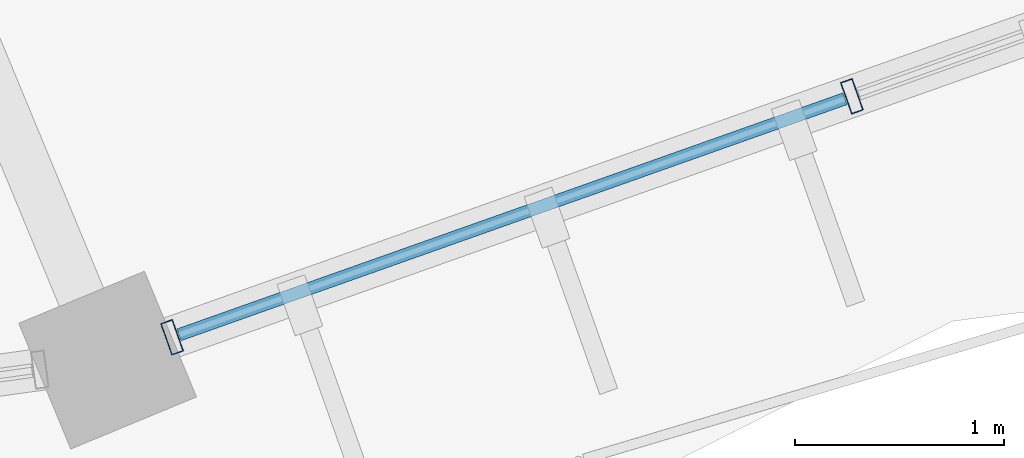
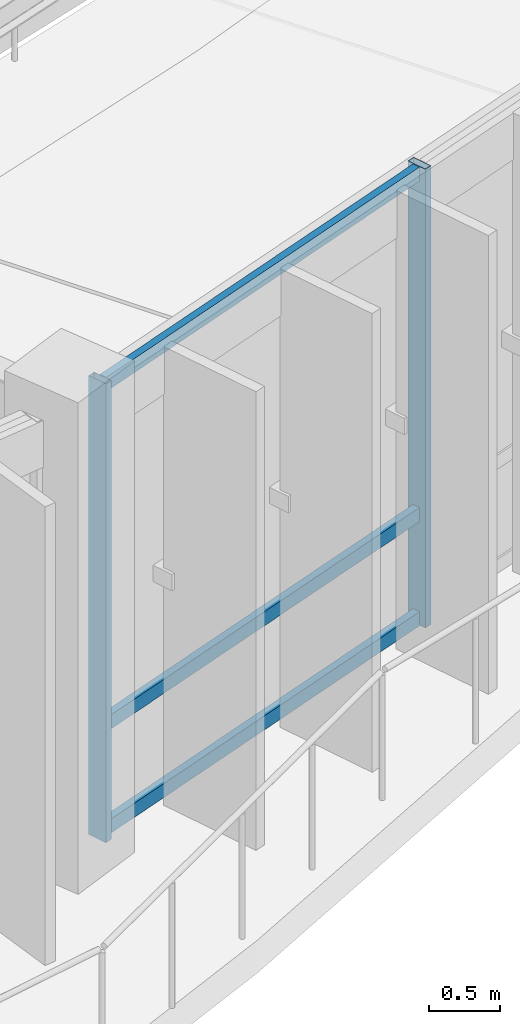
# One storey, part 27 of 114: 5 members, 1 element without a shape of its own.
"""IFC4 building model written with IfcOpenShell, lengths in metres."""

import ifcopenshell
import ifcopenshell.guid

model = None  # the IFC model being written
_history = None  # IfcOwnerHistory: only IFC2X3 demands one
_inside = {}  # id of a spatial element -> (the spatial element, [elements in it])
_under = {}  # id of a project, library or spatial element -> (it, [spatial elements below it])
_declared = {}  # id of a project -> (the project, [libraries it declares])
_typed = {}  # id of a type object -> (the type object, [elements of that type])
_made_of = {}  # id of a material, layer set ... -> (it, [elements and type objects made of it])


def new_model(schema):
    """Start an empty IFC model of exactly this schema.

    Asked for "IFC4X3", IfcOpenShell would pick the latest addendum, in which some entities
    have other attributes; the version numbers below select the first issue.
    IFC2X3 requires an IfcOwnerHistory on every rooted entity: one is made here for all.
    """
    global model, _history
    if schema == "IFC4X3":
        model = ifcopenshell.file(schema_version=(4, 3, 0, 0))
    else:
        model = ifcopenshell.file(schema=schema)
    _inside.clear()
    _under.clear()
    _declared.clear()
    _typed.clear()
    _made_of.clear()
    _history = None
    if model.schema == "IFC2X3":
        org = make("IfcOrganization", Name="unknown")
        user = make(
            "IfcPersonAndOrganization",
            ThePerson=make("IfcPerson", FamilyName="unknown"),
            TheOrganization=org,
        )
        app = make(
            "IfcApplication",
            ApplicationDeveloper=org,
            Version="unknown",
            ApplicationFullName="unknown",
            ApplicationIdentifier="unknown",
        )
        _history = make(
            "IfcOwnerHistory",
            OwningUser=user,
            OwningApplication=app,
            ChangeAction="ADDED",
            CreationDate=0,
        )
    return model


def make(cls, **values):
    """One entity of the class cls with the attributes given. An attribute that is None is left unset."""
    return model.create_entity(
        cls, **{name: value for name, value in values.items() if value is not None}
    )


def rooted(cls, **values):
    """An entity with a GlobalId (a new one), such as an element, a storey or a relation."""
    return make(cls, GlobalId=ifcopenshell.guid.new(), OwnerHistory=_history, **values)


def si_unit(unit_type, name, prefix=None):
    """IfcSIUnit, for example si_unit("LENGTHUNIT", "METRE", prefix="MILLI")."""
    return make("IfcSIUnit", UnitType=unit_type, Prefix=prefix, Name=name)


def assignment(units):
    """IfcUnitAssignment: the units of a project."""
    return None if units is None else make("IfcUnitAssignment", Units=units)


def point(xyz):
    """IfcCartesianPoint."""
    return None if xyz is None else make("IfcCartesianPoint", Coordinates=xyz)


def direction(xyz):
    """IfcDirection."""
    return None if xyz is None else make("IfcDirection", DirectionRatios=xyz)


def frame(location, z_axis=None, x_axis=None):
    """IfcAxis2Placement3D, a coordinate frame: its origin and axes. An axis left out is left unset."""
    return make(
        "IfcAxis2Placement3D",
        Location=point(location),
        Axis=direction(z_axis),
        RefDirection=direction(x_axis),
    )


def frame_2d(location, x_axis=None):
    """IfcAxis2Placement2D, a coordinate frame in the plane: its origin and x axis."""
    return make(
        "IfcAxis2Placement2D", Location=point(location), RefDirection=direction(x_axis)
    )


def origin():
    """The frame at (0, 0, 0) with its axes left unset."""
    return frame((0.0, 0.0, 0.0))


def origin_2d():
    """The frame at (0, 0) in the plane with its x axis left unset."""
    return frame_2d((0.0, 0.0))


def place(relative_to, where):
    """IfcLocalPlacement: puts the frame where relative to a parent placement (None: the world)."""
    return make(
        "IfcLocalPlacement", PlacementRelTo=relative_to, RelativePlacement=where
    )


def context(
    kind, dimensions, precision=None, world=None, true_north=None, identifier=None
):
    """IfcGeometricRepresentationContext, for example the 3D "Model" context."""
    return make(
        "IfcGeometricRepresentationContext",
        ContextIdentifier=identifier,
        ContextType=kind,
        CoordinateSpaceDimension=dimensions,
        Precision=precision,
        WorldCoordinateSystem=world,
        TrueNorth=true_north,
    )


def subcontext(parent, identifier, kind, view, scale=None):
    """IfcGeometricRepresentationSubContext, for example "Body" below "Model"."""
    return make(
        "IfcGeometricRepresentationSubContext",
        ContextIdentifier=identifier,
        ContextType=kind,
        ParentContext=parent,
        TargetScale=scale,
        TargetView=view,
    )


def project(units=None, contexts=None):
    """IfcProject with its units and contexts."""
    return rooted(
        "IfcProject",
        Name="project",
        RepresentationContexts=contexts,
        UnitsInContext=assignment(units),
    )


def spatial(cls, under=None, at=None, **own):
    """A site, building, storey or space (cls), placed at a placement, below another one or the project."""
    s = rooted(cls, ObjectPlacement=at, **own)
    if under is not None:
        _under.setdefault(under.id(), (under, []))[1].append(s)
    return s


def profile(cls, at=None, kind="AREA", **sizes):
    """A parametric profile (cls). Its sizes go by their IFC names, for example OverallWidth=200.0."""
    return make(cls, ProfileType=kind, Position=at, **sizes)


def hollow_rectangle(**sizes):
    """IfcRectangleHollowProfileDef."""
    return profile("IfcRectangleHollowProfileDef", **sizes)


def extrude(swept, where, along, depth):
    """IfcExtrudedAreaSolid: the profile swept, set in the frame where, extruded along a direction by depth."""
    return make(
        "IfcExtrudedAreaSolid",
        SweptArea=swept,
        Position=where,
        ExtrudedDirection=direction(along),
        Depth=depth,
    )


def shape(context_of_items, identifier, shape_type, items):
    """IfcShapeRepresentation: the items that make up one representation, for example the "Body"."""
    return make(
        "IfcShapeRepresentation",
        ContextOfItems=context_of_items,
        RepresentationIdentifier=identifier,
        RepresentationType=shape_type,
        Items=items,
    )


def material(Name=None, Category=None):
    """IfcMaterial."""
    return make("IfcMaterial", Name=Name, Category=Category)


def material_profile(
    of_material, cross_section, Name=None, Category=None, Priority=None
):
    """IfcMaterialProfile: a cross section and its material."""
    return make(
        "IfcMaterialProfile",
        Name=Name,
        Material=of_material,
        Profile=cross_section,
        Priority=Priority,
        Category=Category,
    )


def profile_set(profiles, Name=None, composite=None):
    """IfcMaterialProfileSet."""
    return make(
        "IfcMaterialProfileSet",
        Name=Name,
        MaterialProfiles=profiles,
        CompositeProfile=composite,
    )


def made_of(thing, what):
    """Note that an element or type object is made of a material, layer set ...; save() writes the relation."""
    if what is not None:
        _made_of.setdefault(what.id(), (what, []))[1].append(thing)
    return thing


def type_object(cls, material=None, **own):
    """A type object (cls), such as IfcWallType, which elements share."""
    return made_of(rooted(cls, **own), material)


def element(
    cls,
    number,
    at=None,
    inside=None,
    cuts=None,
    type_object=None,
    material=None,
    context=None,
    identifier="Body",
    shape_type=None,
    held_by="IfcProductDefinitionShape",
    body=None,
    shapes=None,
    **own,
):
    """One element of the class cls, such as IfcWall. Its Tag is "e" and its number.

    at: its placement. inside: the storey or other place that contains it. cuts: it is an
    opening in that element (IfcRelVoidsElement). A single representation is given by context,
    identifier, shape_type and body (its items); several are given by shapes. held_by: the class
    of the entity that holds the representations. save() writes the other relations.
    """
    e = rooted(cls, Tag="e%d" % number, ObjectPlacement=at, **own)
    if body is not None:
        shapes = [shape(context, identifier, shape_type, body)]
    if shapes is not None:
        e.Representation = make(held_by, Representations=shapes)
    if inside is not None:
        _inside.setdefault(inside.id(), (inside, []))[1].append(e)
    if cuts is not None:
        rooted(
            "IfcRelVoidsElement", RelatingBuildingElement=cuts, RelatedOpeningElement=e
        )
    if type_object is not None:
        _typed.setdefault(type_object.id(), (type_object, []))[1].append(e)
    return made_of(e, material)


def aggregate(whole, parts):
    """IfcRelAggregates: a whole, such as a stair, and the parts it consists of."""
    return rooted("IfcRelAggregates", RelatingObject=whole, RelatedObjects=parts)


def save(model, path):
    """Write the relations noted so far, then the file.

    IfcRelAggregates (storeys below a building ...), IfcRelContainedInSpatialStructure (elements
    in a storey), IfcRelDefinesByType, IfcRelAssociatesMaterial and IfcRelDeclares: one each for
    every whole, place, type object, material and project.
    """
    for whole, parts in _under.values():
        aggregate(whole, parts)
    for where, things in _inside.values():
        rooted(
            "IfcRelContainedInSpatialStructure",
            RelatedElements=things,
            RelatingStructure=where,
        )
    for kind, things in _typed.values():
        rooted("IfcRelDefinesByType", RelatedObjects=things, RelatingType=kind)
    for what, things in _made_of.values():
        rooted("IfcRelAssociatesMaterial", RelatedObjects=things, RelatingMaterial=what)
    for by, libraries in _declared.values():
        rooted("IfcRelDeclares", RelatingContext=by, RelatedDefinitions=libraries)
    model.write(path)


model = new_model("IFC4")

# Units and contexts
model_context = context("Model", 3, precision=1e-05, world=origin(), true_north=direction((0.0, 1.0)))
body_context = subcontext(model_context, "Body", "Model", "MODEL_VIEW")
ifc_project = project(units=[si_unit("LENGTHUNIT", "METRE"), si_unit("AREAUNIT", "SQUARE_METRE"), si_unit("VOLUMEUNIT", "CUBIC_METRE"), si_unit("PLANEANGLEUNIT", "RADIAN"), si_unit("MASSUNIT", "GRAM", prefix="KILO"), si_unit("THERMODYNAMICTEMPERATUREUNIT", "KELVIN"), si_unit("POWERUNIT", "WATT")], contexts=[model_context])

# Site, building, storey
site_placement = place(None, origin())
site = spatial("IfcSite", under=ifc_project, at=site_placement, CompositionType="ELEMENT")
building_placement = place(site_placement, origin())
building = spatial("IfcBuilding", under=site, at=building_placement, Name="Darbajah Civic Hall", CompositionType="ELEMENT")
storey_placement = place(building_placement, frame((0.0, 0.0, 13.800048828125)))
storey = spatial("IfcBuildingStorey", under=building, at=storey_placement, Name="L03", CompositionType="ELEMENT", Elevation=13.800048828125)

# Curtain wall, members
ifc_material_1 = material(Name="Anodised Bronze Aluminium and Low-E Glazing", Category="aluminium")
curtain_wall_type = type_object("IfcCurtainWallType", Name="Unitised Curtain Wall CW-62 13800x3900", PredefinedType="USERDEFINED", material=ifc_material_1)
curtain_wall_placement = place(storey_placement, origin())
curtain_wall = element("IfcCurtainWall", 1, at=curtain_wall_placement, inside=storey, type_object=curtain_wall_type, Name="L03 unitised curtain wall CW-V1O-L03-16", ObjectType="UNITISED CURTAIN WALL", PredefinedType="USERDEFINED")
ifc_material_2 = material(Name="Anodised Bronze Aluminium", Category="aluminium")
ifc_material_profile_1 = material_profile(ifc_material_2, hollow_rectangle(XDim=0.06005859375, YDim=0.159912109375, WallThickness=0.00341796875, at=origin_2d()), Name="ALU MULLION 60x160")
ifc_profile_set_1 = profile_set([ifc_material_profile_1], Name="Anodised Bronze Aluminium")
member_type_1 = type_object("IfcMemberType", Name="ALU MULLION 60x160", PredefinedType="MULLION", material=ifc_profile_set_1)
member_1_placement = place(storey_placement, frame((108.925048828125, 62.65478515625, 0.0), z_axis=(0.0, 0.0, 1.0), x_axis=(0.94252491309, 0.334135882844, 0.0)))
member_1 = element("IfcMember", 2, at=member_1_placement, type_object=member_type_1, Name="CW-V1O-L03-16 mullion 1", PredefinedType="MULLION", context=body_context, shape_type="SweptSolid", body=[
    extrude(hollow_rectangle(XDim=0.06005859375, YDim=0.159912109375, WallThickness=0.00341796875, at=origin_2d()), origin(), (0.0, 0.0, 1.0), 3.919921875),
])
member_2_placement = place(storey_placement, frame((112.17236328125, 63.805908203125, 0.0), z_axis=(0.0, 0.0, 1.0), x_axis=(0.94252491309, 0.334135882844, 0.0)))
member_2 = element("IfcMember", 3, at=member_2_placement, type_object=member_type_1, Name="CW-V1O-L03-16 mullion 2", PredefinedType="MULLION", context=body_context, shape_type="SweptSolid", body=[
    extrude(hollow_rectangle(XDim=0.06005859375, YDim=0.159912109375, WallThickness=0.00341796875, at=origin_2d()), origin(), (0.0, 0.0, 1.0), 3.919921875),
])
ifc_material_profile_2 = material_profile(ifc_material_2, hollow_rectangle(XDim=0.06005859375, YDim=0.1201171875, WallThickness=0.003173828125, at=origin_2d()), Name="ALU TRANSOM 60x120")
ifc_profile_set_2 = profile_set([ifc_material_profile_2], Name="Anodised Bronze Aluminium")
member_type_2 = type_object("IfcMemberType", Name="ALU TRANSOM 60x120", PredefinedType="USERDEFINED", material=ifc_profile_set_2)
member_3_placement = place(storey_placement, frame((108.9580078125, 62.66650390625, 0.06005859375), z_axis=(0.942539464271, 0.334094834277, 0.0), x_axis=(-0.334094834277, 0.942539464271, 0.0)))
member_3 = element("IfcMember", 4, at=member_3_placement, type_object=member_type_2, Name="CW-V1O-L03-16 transom 1.1", ObjectType="TRANSOM", PredefinedType="USERDEFINED", context=body_context, shape_type="SweptSolid", body=[
    extrude(hollow_rectangle(XDim=0.06005859375, YDim=0.1201171875, WallThickness=0.003173828125, at=origin_2d()), origin(), (0.0, 0.0, 1.0), 3.375244140625),
])
member_4_placement = place(storey_placement, frame((108.9580078125, 62.66650390625, 0.949951171875), z_axis=(0.942539464271, 0.334094834277, 0.0), x_axis=(-0.334094834277, 0.942539464271, 0.0)))
member_4 = element("IfcMember", 5, at=member_4_placement, type_object=member_type_2, Name="CW-V1O-L03-16 transom 1.2", ObjectType="TRANSOM", PredefinedType="USERDEFINED", context=body_context, shape_type="SweptSolid", body=[
    extrude(hollow_rectangle(XDim=0.06005859375, YDim=0.1201171875, WallThickness=0.003173828125, at=origin_2d()), origin(), (0.0, 0.0, 1.0), 3.375244140625),
])
member_5_placement = place(storey_placement, frame((108.9580078125, 62.66650390625, 3.85986328125), z_axis=(0.942539464271, 0.334094834277, 0.0), x_axis=(-0.334094834277, 0.942539464271, 0.0)))
member_5 = element("IfcMember", 6, at=member_5_placement, type_object=member_type_2, Name="CW-V1O-L03-16 transom 1.3", ObjectType="TRANSOM", PredefinedType="USERDEFINED", context=body_context, shape_type="SweptSolid", body=[
    extrude(hollow_rectangle(XDim=0.06005859375, YDim=0.1201171875, WallThickness=0.003173828125, at=origin_2d()), origin(), (0.0, 0.0, 1.0), 3.375244140625),
])
aggregate(curtain_wall, [member_1, member_2, member_3, member_4, member_5])

save(model, "model.ifc")
